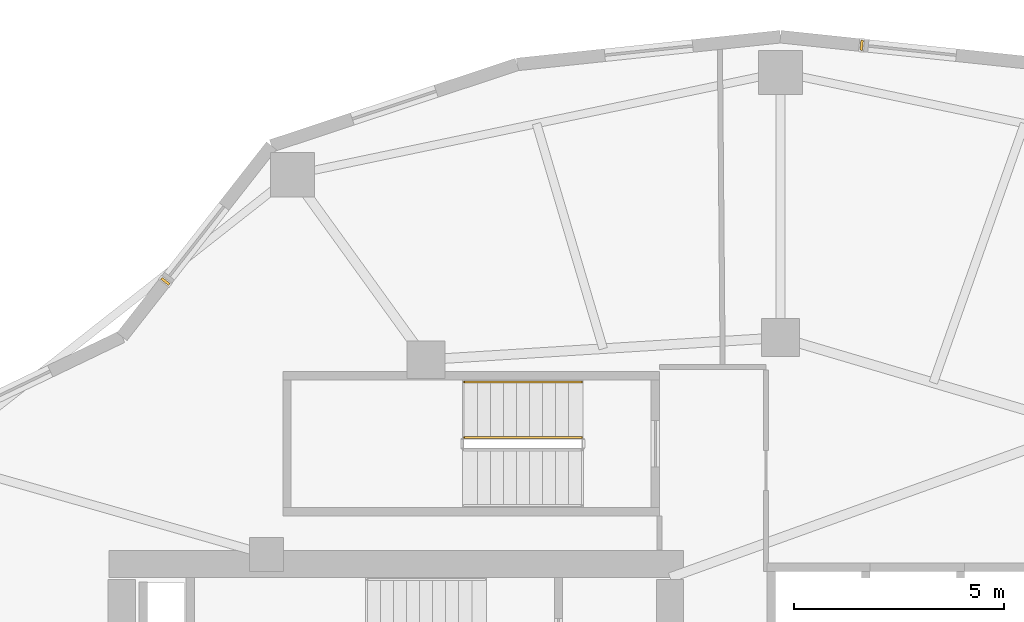
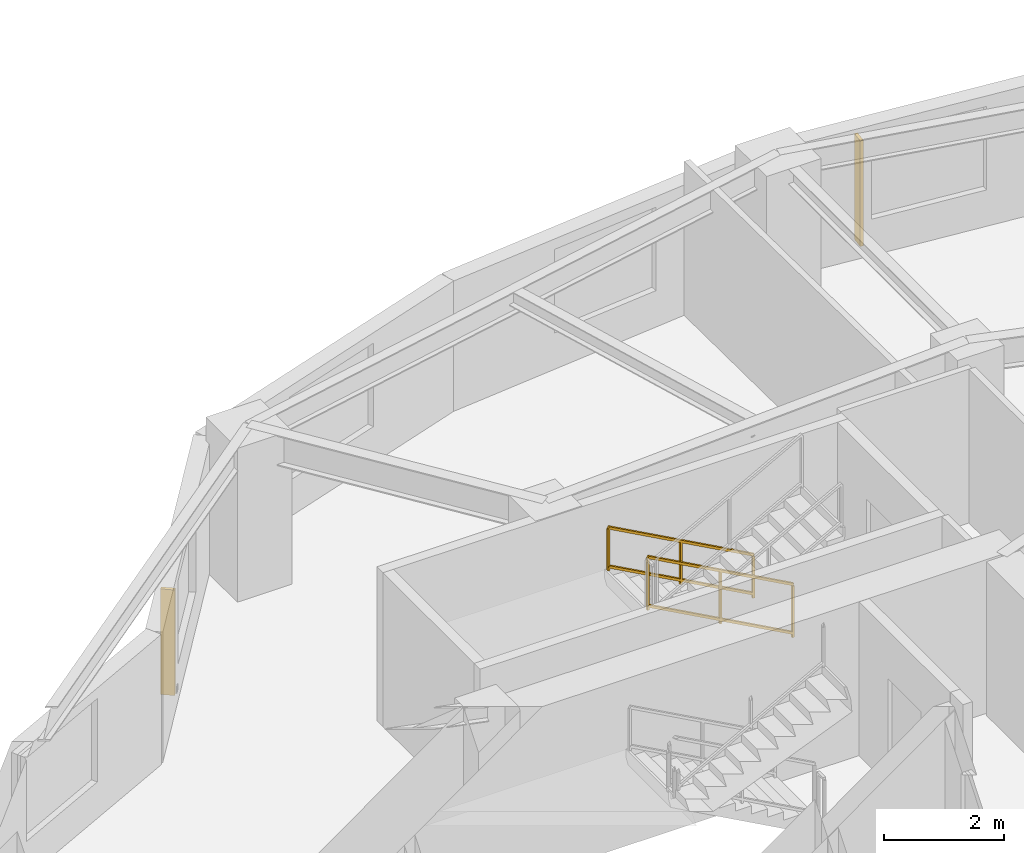
# One storey, part 13 of 14: 2 railings, 2 shading devices.
"""IFC4 building model written with IfcOpenShell, lengths in metres."""

import ifcopenshell
import ifcopenshell.guid

model = None  # the IFC model being written
_history = None  # IfcOwnerHistory: only IFC2X3 demands one
_inside = {}  # id of a spatial element -> (the spatial element, [elements in it])
_under = {}  # id of a project, library or spatial element -> (it, [spatial elements below it])
_declared = {}  # id of a project -> (the project, [libraries it declares])
_typed = {}  # id of a type object -> (the type object, [elements of that type])
_made_of = {}  # id of a material, layer set ... -> (it, [elements and type objects made of it])


def new_model(schema):
    """Start an empty IFC model of exactly this schema.

    Asked for "IFC4X3", IfcOpenShell would pick the latest addendum, in which some entities
    have other attributes; the version numbers below select the first issue.
    IFC2X3 requires an IfcOwnerHistory on every rooted entity: one is made here for all.
    """
    global model, _history
    if schema == "IFC4X3":
        model = ifcopenshell.file(schema_version=(4, 3, 0, 0))
    else:
        model = ifcopenshell.file(schema=schema)
    _inside.clear()
    _under.clear()
    _declared.clear()
    _typed.clear()
    _made_of.clear()
    _history = None
    if model.schema == "IFC2X3":
        org = make("IfcOrganization", Name="unknown")
        user = make(
            "IfcPersonAndOrganization",
            ThePerson=make("IfcPerson", FamilyName="unknown"),
            TheOrganization=org,
        )
        app = make(
            "IfcApplication",
            ApplicationDeveloper=org,
            Version="unknown",
            ApplicationFullName="unknown",
            ApplicationIdentifier="unknown",
        )
        _history = make(
            "IfcOwnerHistory",
            OwningUser=user,
            OwningApplication=app,
            ChangeAction="ADDED",
            CreationDate=0,
        )
    return model


def make(cls, **values):
    """One entity of the class cls with the attributes given. An attribute that is None is left unset."""
    return model.create_entity(
        cls, **{name: value for name, value in values.items() if value is not None}
    )


def rooted(cls, **values):
    """An entity with a GlobalId (a new one), such as an element, a storey or a relation."""
    return make(cls, GlobalId=ifcopenshell.guid.new(), OwnerHistory=_history, **values)


def si_unit(unit_type, name, prefix=None):
    """IfcSIUnit, for example si_unit("LENGTHUNIT", "METRE", prefix="MILLI")."""
    return make("IfcSIUnit", UnitType=unit_type, Prefix=prefix, Name=name)


def assignment(units):
    """IfcUnitAssignment: the units of a project."""
    return None if units is None else make("IfcUnitAssignment", Units=units)


def point(xyz):
    """IfcCartesianPoint."""
    return None if xyz is None else make("IfcCartesianPoint", Coordinates=xyz)


def direction(xyz):
    """IfcDirection."""
    return None if xyz is None else make("IfcDirection", DirectionRatios=xyz)


def frame(location, z_axis=None, x_axis=None):
    """IfcAxis2Placement3D, a coordinate frame: its origin and axes. An axis left out is left unset."""
    return make(
        "IfcAxis2Placement3D",
        Location=point(location),
        Axis=direction(z_axis),
        RefDirection=direction(x_axis),
    )


def frame_2d(location, x_axis=None):
    """IfcAxis2Placement2D, a coordinate frame in the plane: its origin and x axis."""
    return make(
        "IfcAxis2Placement2D", Location=point(location), RefDirection=direction(x_axis)
    )


def origin():
    """The frame at (0, 0, 0) with its axes left unset."""
    return frame((0.0, 0.0, 0.0))


def origin_2d():
    """The frame at (0, 0) in the plane with its x axis left unset."""
    return frame_2d((0.0, 0.0))


def place(relative_to, where):
    """IfcLocalPlacement: puts the frame where relative to a parent placement (None: the world)."""
    return make(
        "IfcLocalPlacement", PlacementRelTo=relative_to, RelativePlacement=where
    )


def context(
    kind, dimensions, precision=None, world=None, true_north=None, identifier=None
):
    """IfcGeometricRepresentationContext, for example the 3D "Model" context."""
    return make(
        "IfcGeometricRepresentationContext",
        ContextIdentifier=identifier,
        ContextType=kind,
        CoordinateSpaceDimension=dimensions,
        Precision=precision,
        WorldCoordinateSystem=world,
        TrueNorth=true_north,
    )


def subcontext(parent, identifier, kind, view, scale=None):
    """IfcGeometricRepresentationSubContext, for example "Body" below "Model"."""
    return make(
        "IfcGeometricRepresentationSubContext",
        ContextIdentifier=identifier,
        ContextType=kind,
        ParentContext=parent,
        TargetScale=scale,
        TargetView=view,
    )


def project(units=None, contexts=None):
    """IfcProject with its units and contexts."""
    return rooted(
        "IfcProject",
        Name="project",
        RepresentationContexts=contexts,
        UnitsInContext=assignment(units),
    )


def spatial(cls, under=None, at=None, **own):
    """A site, building, storey or space (cls), placed at a placement, below another one or the project."""
    s = rooted(cls, ObjectPlacement=at, **own)
    if under is not None:
        _under.setdefault(under.id(), (under, []))[1].append(s)
    return s


def profile(cls, at=None, kind="AREA", **sizes):
    """A parametric profile (cls). Its sizes go by their IFC names, for example OverallWidth=200.0."""
    return make(cls, ProfileType=kind, Position=at, **sizes)


def rectangle(**sizes):
    """IfcRectangleProfileDef."""
    return profile("IfcRectangleProfileDef", **sizes)


def extrude(swept, where, along, depth):
    """IfcExtrudedAreaSolid: the profile swept, set in the frame where, extruded along a direction by depth."""
    return make(
        "IfcExtrudedAreaSolid",
        SweptArea=swept,
        Position=where,
        ExtrudedDirection=direction(along),
        Depth=depth,
    )


def shape(context_of_items, identifier, shape_type, items):
    """IfcShapeRepresentation: the items that make up one representation, for example the "Body"."""
    return make(
        "IfcShapeRepresentation",
        ContextOfItems=context_of_items,
        RepresentationIdentifier=identifier,
        RepresentationType=shape_type,
        Items=items,
    )


def material(Name=None, Category=None):
    """IfcMaterial."""
    return make("IfcMaterial", Name=Name, Category=Category)


def made_of(thing, what):
    """Note that an element or type object is made of a material, layer set ...; save() writes the relation."""
    if what is not None:
        _made_of.setdefault(what.id(), (what, []))[1].append(thing)
    return thing


def type_object(cls, material=None, **own):
    """A type object (cls), such as IfcWallType, which elements share."""
    return made_of(rooted(cls, **own), material)


def element(
    cls,
    number,
    at=None,
    inside=None,
    cuts=None,
    type_object=None,
    material=None,
    context=None,
    identifier="Body",
    shape_type=None,
    held_by="IfcProductDefinitionShape",
    body=None,
    shapes=None,
    **own,
):
    """One element of the class cls, such as IfcWall. Its Tag is "e" and its number.

    at: its placement. inside: the storey or other place that contains it. cuts: it is an
    opening in that element (IfcRelVoidsElement). A single representation is given by context,
    identifier, shape_type and body (its items); several are given by shapes. held_by: the class
    of the entity that holds the representations. save() writes the other relations.
    """
    e = rooted(cls, Tag="e%d" % number, ObjectPlacement=at, **own)
    if body is not None:
        shapes = [shape(context, identifier, shape_type, body)]
    if shapes is not None:
        e.Representation = make(held_by, Representations=shapes)
    if inside is not None:
        _inside.setdefault(inside.id(), (inside, []))[1].append(e)
    if cuts is not None:
        rooted(
            "IfcRelVoidsElement", RelatingBuildingElement=cuts, RelatedOpeningElement=e
        )
    if type_object is not None:
        _typed.setdefault(type_object.id(), (type_object, []))[1].append(e)
    return made_of(e, material)


def aggregate(whole, parts):
    """IfcRelAggregates: a whole, such as a stair, and the parts it consists of."""
    return rooted("IfcRelAggregates", RelatingObject=whole, RelatedObjects=parts)


def save(model, path):
    """Write the relations noted so far, then the file.

    IfcRelAggregates (storeys below a building ...), IfcRelContainedInSpatialStructure (elements
    in a storey), IfcRelDefinesByType, IfcRelAssociatesMaterial and IfcRelDeclares: one each for
    every whole, place, type object, material and project.
    """
    for whole, parts in _under.values():
        aggregate(whole, parts)
    for where, things in _inside.values():
        rooted(
            "IfcRelContainedInSpatialStructure",
            RelatedElements=things,
            RelatingStructure=where,
        )
    for kind, things in _typed.values():
        rooted("IfcRelDefinesByType", RelatedObjects=things, RelatingType=kind)
    for what, things in _made_of.values():
        rooted("IfcRelAssociatesMaterial", RelatedObjects=things, RelatingMaterial=what)
    for by, libraries in _declared.values():
        rooted("IfcRelDeclares", RelatingContext=by, RelatedDefinitions=libraries)
    model.write(path)


model = new_model("IFC4")

# Units and contexts
model_context = context("Model", 3, precision=1e-05, world=origin(), true_north=direction((0.0, 1.0)))
body_context = subcontext(model_context, "Body", "Model", "MODEL_VIEW")
ifc_project = project(units=[si_unit("LENGTHUNIT", "METRE"), si_unit("AREAUNIT", "SQUARE_METRE"), si_unit("VOLUMEUNIT", "CUBIC_METRE"), si_unit("PLANEANGLEUNIT", "RADIAN"), si_unit("MASSUNIT", "GRAM", prefix="KILO")], contexts=[model_context])

# Site, building, storey
site_placement = place(None, origin())
site = spatial("IfcSite", under=ifc_project, at=site_placement, CompositionType="ELEMENT")
building_placement = place(site_placement, origin())
building = spatial("IfcBuilding", under=site, at=building_placement, Name="Kolvaren Gate Tower and Convention Centre", CompositionType="ELEMENT")
storey_placement = place(building_placement, frame((0.0, 0.0, 105.300048828125)))
storey = spatial("IfcBuildingStorey", under=building, at=storey_placement, Name="L25", CompositionType="ELEMENT", Elevation=105.300048828125)

# Railings
ifc_material_1 = material(Name="Brushed Stainless Steel Grade 316L", Category="steel")
railing_type_1 = type_object("IfcRailingType", Name="ARCH-RL-GUARD-1150", PredefinedType="GUARDRAIL", material=ifc_material_1)
railing_1_placement = place(storey_placement, frame((25.39990234375, 36.830078125, 0.169921875)))
element("IfcRailing", 1, at=railing_1_placement, inside=storey, type_object=railing_type_1, Name="L25 ST-T3 stair guard 1", PredefinedType="GUARDRAIL", context=body_context, shape_type="SweptSolid", body=[
    extrude(rectangle(XDim=0.048095703125, YDim=0.048095703125, at=origin_2d()), frame((0.0, 0.0, 1.076171875), z_axis=(-0.8767936245, 0.0, 0.480866863109), x_axis=(0.0, -1.0, 0.0)), (0.0, 0.0, 1.0), 3.181884765625),
    extrude(rectangle(XDim=0.048095703125, YDim=0.048095703125, at=origin_2d()), frame((0.0, 0.0, 0.083984375), z_axis=(-0.8767936245, 0.0, 0.480866863109), x_axis=(0.0, -1.0, 0.0)), (0.0, 0.0, 1.0), 3.181884765625),
    extrude(rectangle(XDim=0.0419921875, YDim=0.0419921875, at=origin_2d()), origin(), (0.0, 0.0, 1.0), 1.050048828125),
    extrude(rectangle(XDim=0.0419921875, YDim=0.0419921875, at=origin_2d()), frame((-2.789794921875, 0.0, 1.530029296875)), (0.0, 0.0, 1.0), 1.050048828125),
    extrude(rectangle(XDim=0.0419921875, YDim=0.0419921875, at=origin_2d()), frame((-1.39501953125, 0.0, 0.76513671875)), (0.0, 0.0, 1.0), 1.050048828125),
])
railing_type_2 = type_object("IfcRailingType", Name="ARCH-RL-HANDRAIL-920", PredefinedType="HANDRAIL", material=ifc_material_1)
railing_2_placement = place(storey_placement, frame((25.39990234375, 38.14990234375, 0.169921875)))
element("IfcRailing", 2, at=railing_2_placement, inside=storey, type_object=railing_type_2, Name="L25 ST-T3 stair handrail 1", PredefinedType="HANDRAIL", context=body_context, shape_type="SweptSolid", body=[
    extrude(rectangle(XDim=0.048095703125, YDim=0.048095703125, at=origin_2d()), frame((0.0, 0.0, 0.8759765625), z_axis=(-0.8767936245, 0.0, 0.480866863109), x_axis=(0.0, -1.0, 0.0)), (0.0, 0.0, 1.0), 3.181884765625),
    extrude(rectangle(XDim=0.048095703125, YDim=0.048095703125, at=origin_2d()), frame((0.0, 0.0, 0.083984375), z_axis=(-0.8767936245, 0.0, 0.480866863109), x_axis=(0.0, -1.0, 0.0)), (0.0, 0.0, 1.0), 3.181884765625),
    extrude(rectangle(XDim=0.0419921875, YDim=0.0419921875, at=origin_2d()), origin(), (0.0, 0.0, 1.0), 0.849853515625),
    extrude(rectangle(XDim=0.0419921875, YDim=0.0419921875, at=origin_2d()), frame((-2.789794921875, 0.0, 1.530029296875)), (0.0, 0.0, 1.0), 0.849853515625),
    extrude(rectangle(XDim=0.0419921875, YDim=0.0419921875, at=origin_2d()), frame((-1.39501953125, 0.0, 0.76513671875)), (0.0, 0.0, 1.0), 0.849853515625),
])

# Shading devices
ifc_material_2 = material(Name="Kiln-Fired Bogota Terracotta Ceramic Louvre Profile", Category="masonry")
shading_device_type = type_object("IfcShadingDeviceType", Name="ARCH-SHD-FIN-180", PredefinedType="JALOUSIE", material=ifc_material_2)
for number, where, z_axis, x_axis, name in (
    (3, (32.05126953125, 46.147216796875, 0.219970703125), (0.0, 0.0, 1.0), (0.994499981166, -0.104736753152, 0.0), "Ceramic Vertical Brise-Soleil Fin FN-L25-05"),
    (4, (15.510009765625, 40.537109375, 0.219970703125), (0.0, 0.0, 1.0), (0.616435493395, 0.787405411769, 0.0), "Ceramic Vertical Brise-Soleil Fin FN-L25-08"),
):
    element("IfcShadingDevice", number, at=place(storey_placement, frame(where, z_axis=z_axis, x_axis=x_axis)), inside=storey, type_object=shading_device_type, Name=name, PredefinedType="JALOUSIE", context=body_context, shape_type="SweptSolid", body=[
        extrude(rectangle(XDim=0.06005859375, YDim=0.239990234375, at=origin_2d()), origin(), (0.0, 0.0, 1.0), 2.14990234375),
    ])

save(model, "model.ifc")
